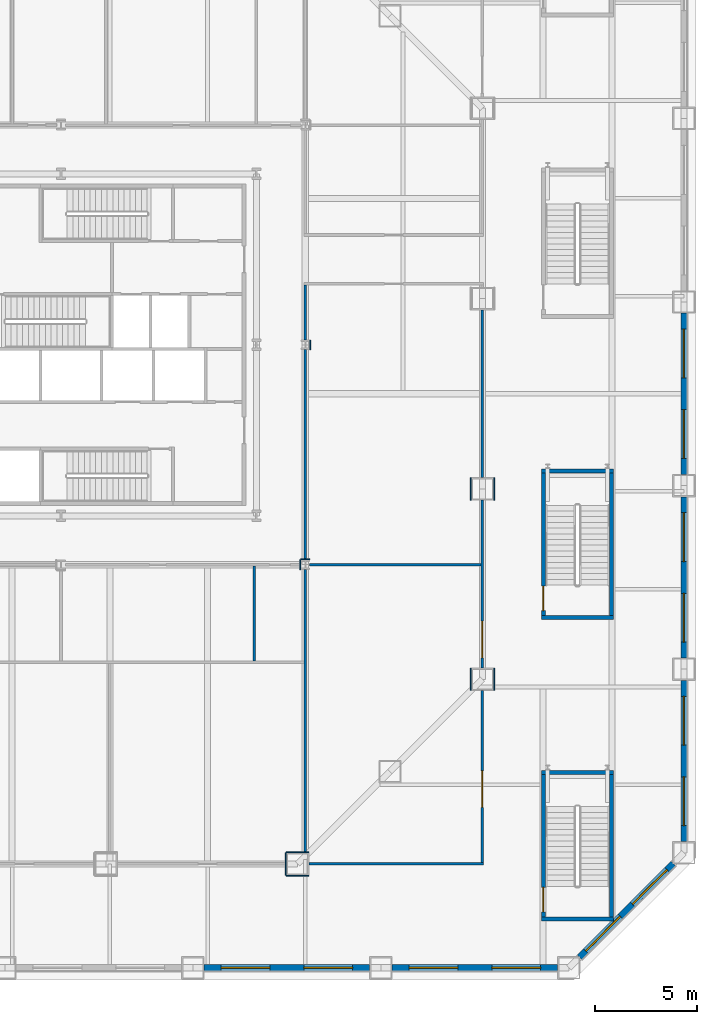
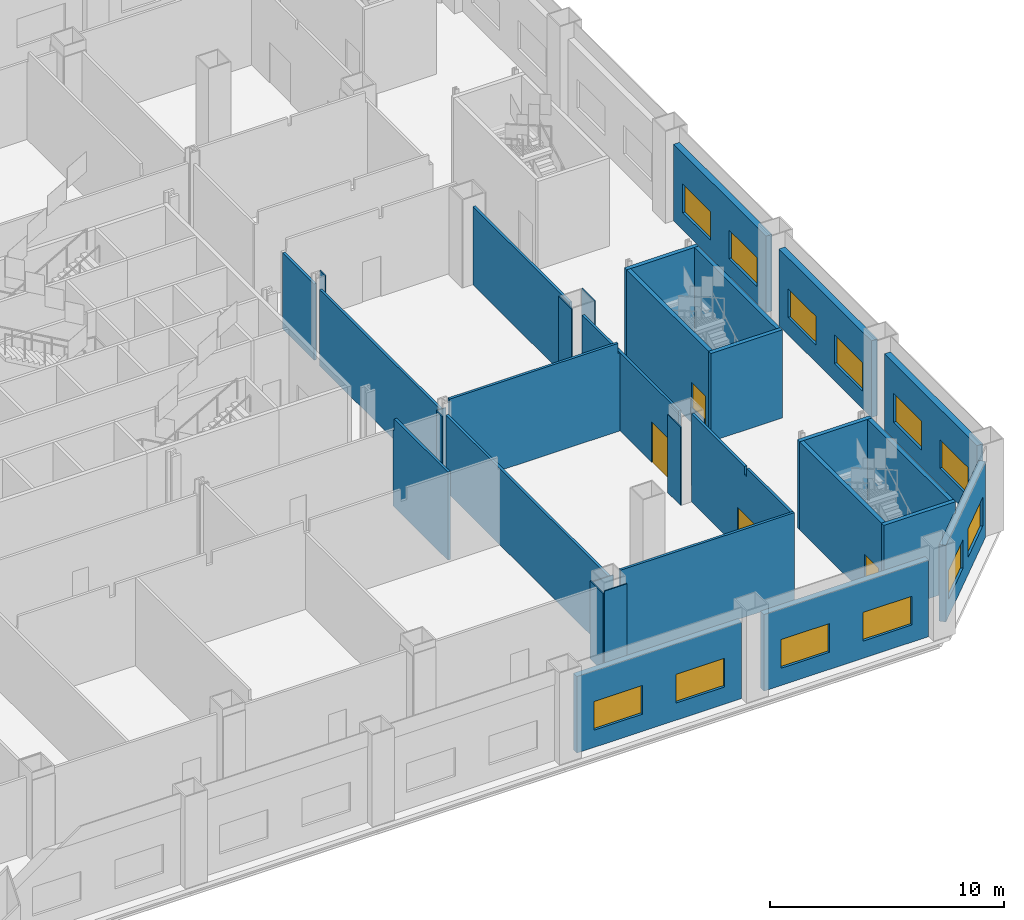
# One storey, part 17 of 26: 33 walls, 12 windows, 4 doors, 16 openings.
"""IFC4 building model written with IfcOpenShell, lengths in metres."""

from ifc_helpers import new_model, si_unit, direction, frame, frame_2d, origin, place, context, subcontext, project, spatial, polyline, rectangle, outline, extrude, material, layer, layer_set, type_object, element, fill, save


model = new_model("IFC4")

# Units and contexts
model_context = context("Model", 3, precision=1e-05, world=origin(), true_north=direction((0.0, 1.0)))
body_context = subcontext(model_context, "Body", "Model", "MODEL_VIEW")
ifc_project = project(units=[si_unit("LENGTHUNIT", "METRE"), si_unit("AREAUNIT", "SQUARE_METRE"), si_unit("VOLUMEUNIT", "CUBIC_METRE"), si_unit("PLANEANGLEUNIT", "RADIAN"), si_unit("MASSUNIT", "GRAM", prefix="KILO")], contexts=[model_context])

# Site, building, storey
site_placement = place(None, origin())
site = spatial("IfcSite", under=ifc_project, at=site_placement, CompositionType="ELEMENT")
building_placement = place(site_placement, origin())
building = spatial("IfcBuilding", under=site, at=building_placement, Name="Cairn Pilgrim Tower", CompositionType="ELEMENT")
storey_placement = place(building_placement, frame((0.0, 0.0, 21.0)))
storey = spatial("IfcBuildingStorey", under=building, at=storey_placement, Name="L03", CompositionType="ELEMENT", Elevation=21.0)

# Wall
ifc_material_1 = material(Name="Gypsum partition")
ifc_layer_1 = layer(ifc_material_1, 0.125)
ifc_layer_set_1 = layer_set([ifc_layer_1], Name="PARTITION 125 DRYWALL EI 60")
wall_type_1 = type_object("IfcWallType", Name="PARTITION 125 DRYWALL EI 60", PredefinedType="PARTITIONING", material=ifc_layer_set_1)
wall_1_placement = place(storey_placement, frame((19.377197265625, -23.10009765625, 0.0), z_axis=(0.0, 0.0, 1.0), x_axis=(1.0, 0.0, 0.0)))
element("IfcWall", 1, at=wall_1_placement, inside=storey, type_object=wall_type_1, Name="PARTITION W013", PredefinedType="PARTITIONING", context=body_context, shape_type="SweptSolid", body=[
    extrude(rectangle(XDim=8.585205078125, YDim=0.125, at=frame_2d((4.29248046875, 0.0))), origin(), (0.0, 0.0, 1.0), 4.60009765625),
])

# Wall, opening, door
wall_2_placement = place(storey_placement, frame((27.89990234375, -23.03759765625, 0.0), z_axis=(0.0, 0.0, 1.0), x_axis=(0.0, 1.0, 0.0)))
wall_2 = element("IfcWall", 2, at=wall_2_placement, inside=storey, type_object=wall_type_1, Name="PARTITION W017", PredefinedType="PARTITIONING", context=body_context, shape_type="SweptSolid", body=[
    extrude(outline(polyline([(0.0, 0.0), (8.46044921875, 0.0), (8.460205078125, 4.60009765625), (3.927490234375, 4.60009765625), (3.925537109375, 4.179931640625), (3.74755859375, 4.179931640625), (3.74560546875, 4.60009765625), (0.0, 4.60009765625), (0.0, 0.0)])), frame((0.0, 0.0625, 0.0), z_axis=(0.0, -1.0, 0.0), x_axis=(1.0, 0.0, 0.0)), (0.0, 0.0, 1.0), 0.125),
])
opening_1_placement = place(wall_2_placement, frame((2.71240234375, 0.0, 0.0)))
opening_1 = element("IfcOpeningElement", 3, at=opening_1_placement, cuts=wall_2, Name="Opening 0319", PredefinedType="OPENING", context=body_context, shape_type="SweptSolid", body=[
    extrude(rectangle(XDim=1.800048828125, YDim=2.10009765625, at=frame_2d((0.89990234375, 1.050048828125))), frame((0.0, 0.072509765625, 0.0), z_axis=(0.0, -1.0, 0.0), x_axis=(1.0, 0.0, 0.0)), (0.0, 0.0, 1.0), 0.14501953125),
])
ifc_material_2 = material(Name="Timber door leaf", Category="wood")
door_type_1 = type_object("IfcDoorType", Name="DOOR PAIR 1800x2100 FD60S", OperationType="NOTDEFINED", PredefinedType="DOOR", material=ifc_material_2)
door_1_placement = place(opening_1_placement, frame((1.800048828125, 0.0, 0.0), z_axis=(0.0, 0.0, 1.0), x_axis=(-1.0, 0.0, 0.0)))
door_1 = element("IfcDoor", 4, at=door_1_placement, inside=storey, type_object=door_type_1, Name="DOOR 0319", OperationType="DOUBLE_DOOR_SINGLE_SWING", OverallHeight=2.10009765625, OverallWidth=1.800048828125, PredefinedType="DOOR", context=body_context, shape_type="SweptSolid", body=[
    extrude(rectangle(XDim=1.800048828125, YDim=2.10009765625, at=frame_2d((0.89990234375, 1.050048828125))), frame((0.0, 0.02490234375, 0.0), z_axis=(0.0, -1.0, 0.0), x_axis=(1.0, 0.0, 0.0)), (0.0, 0.0, 1.0), 0.050048828125),
])
fill(opening_1, door_1)

# Wall
wall_3_placement = place(storey_placement, frame((19.199951171875, -22.550048828125, 0.0), z_axis=(0.0, 0.0, 1.0), x_axis=(0.0, 1.0, 0.0)))
element("IfcWall", 5, at=wall_3_placement, inside=storey, type_object=wall_type_1, Name="PARTITION W020", PredefinedType="PARTITIONING", context=body_context, shape_type="SweptSolid", body=[
    extrude(rectangle(XDim=13.9130859375, YDim=0.125, at=frame_2d((6.95654296875, 0.0))), origin(), (0.0, 0.0, 1.0), 3.97998046875),
])

# Wall, opening, door
wall_4_placement = place(storey_placement, frame((27.89990234375, -13.477294921875, 0.0), z_axis=(0.0, 0.0, 1.0), x_axis=(0.0, 1.0, 0.0)))
wall_4 = element("IfcWall", 6, at=wall_4_placement, inside=storey, type_object=wall_type_1, Name="PARTITION W022", PredefinedType="PARTITIONING", context=body_context, shape_type="SweptSolid", body=[
    extrude(rectangle(XDim=8.251708984375, YDim=0.125, at=frame_2d((4.1259765625, 0.0))), origin(), (0.0, 0.0, 1.0), 4.080078125),
])
opening_2_placement = place(wall_4_placement, frame((0.502197265625, 0.0, 0.0)))
opening_2 = element("IfcOpeningElement", 7, at=opening_2_placement, cuts=wall_4, Name="Opening 0320", PredefinedType="OPENING", context=body_context, shape_type="SweptSolid", body=[
    extrude(rectangle(XDim=1.800048828125, YDim=2.10009765625, at=frame_2d((0.89990234375, 1.050048828125))), frame((0.0, 0.072509765625, 0.0), z_axis=(0.0, -1.0, 0.0), x_axis=(1.0, 0.0, 0.0)), (0.0, 0.0, 1.0), 0.14501953125),
])
door_2_placement = place(opening_2_placement, frame((1.800048828125, 0.0, 0.0), z_axis=(0.0, 0.0, 1.0), x_axis=(-1.0, 0.0, 0.0)))
door_2 = element("IfcDoor", 8, at=door_2_placement, inside=storey, type_object=door_type_1, Name="DOOR 0320", OperationType="DOUBLE_DOOR_SINGLE_SWING", OverallHeight=2.10009765625, OverallWidth=1.800048828125, PredefinedType="DOOR", context=body_context, shape_type="SweptSolid", body=[
    extrude(rectangle(XDim=1.800048828125, YDim=2.10009765625, at=frame_2d((0.89990234375, 1.050048828125))), frame((0.0, 0.02490234375, 0.0), z_axis=(0.0, -1.0, 0.0), x_axis=(1.0, 0.0, 0.0)), (0.0, 0.0, 1.0), 0.050048828125),
])
fill(opening_2, door_2)

# Walls
wall_5_placement = place(storey_placement, frame((16.699951171875, -13.137451171875, 0.0), z_axis=(0.0, 0.0, 1.0), x_axis=(0.0, 1.0, 0.0)))
element("IfcWall", 9, at=wall_5_placement, inside=storey, type_object=wall_type_1, Name="PARTITION W025", PredefinedType="PARTITIONING", context=body_context, shape_type="SweptSolid", body=[
    extrude(outline(polyline([(0.0, 0.0), (4.675048828125, 0.0), (4.675048828125, 3.97998046875), (4.58740234375, 3.97998046875), (4.58544921875, 4.60009765625), (0.0, 4.60009765625), (0.0, 0.0)])), frame((0.0, 0.0625, 0.0), z_axis=(0.0, -1.0, 0.0), x_axis=(1.0, 0.0, 0.0)), (0.0, 0.0, 1.0), 0.125),
])
wall_6_placement = place(storey_placement, frame((19.412109375, -8.39990234375, 0.0), z_axis=(0.0, 0.0, 1.0), x_axis=(1.0, 0.0, 0.0)))
element("IfcWall", 10, at=wall_6_placement, inside=storey, type_object=wall_type_1, Name="PARTITION W031", PredefinedType="PARTITIONING", context=body_context, shape_type="SweptSolid", body=[
    extrude(outline(polyline([(0.0, 0.0), (8.42529296875, 0.0), (8.425537109375, 4.080078125), (8.337890625, 4.080078125), (8.3359375, 4.60009765625), (0.0, 4.60009765625), (0.0, 0.0)])), frame((0.0, 0.0625, 0.0), z_axis=(0.0, -1.0, 0.0), x_axis=(1.0, 0.0, 0.0)), (0.0, 0.0, 1.0), 0.125),
])
wall_7_placement = place(storey_placement, frame((19.199951171875, -8.1630859375, 0.0), z_axis=(0.0, 0.0, 1.0), x_axis=(0.0, 1.0, 0.0)))
element("IfcWall", 11, at=wall_7_placement, inside=storey, type_object=wall_type_1, Name="PARTITION W033", PredefinedType="PARTITIONING", context=body_context, shape_type="SweptSolid", body=[
    extrude(rectangle(XDim=10.326171875, YDim=0.125, at=frame_2d((5.1630859375, 0.0))), origin(), (0.0, 0.0, 1.0), 3.97998046875),
])
wall_8_placement = place(storey_placement, frame((27.89990234375, -4.125732421875, 0.0), z_axis=(0.0, 0.0, 1.0), x_axis=(0.0, 1.0, 0.0)))
element("IfcWall", 12, at=wall_8_placement, inside=storey, type_object=wall_type_1, Name="PARTITION W034", PredefinedType="PARTITIONING", context=body_context, shape_type="SweptSolid", body=[
    extrude(rectangle(XDim=8.25146484375, YDim=0.125, at=frame_2d((4.125732421875, 0.0))), origin(), (0.0, 0.0, 1.0), 4.080078125),
])
wall_9_placement = place(storey_placement, frame((19.199951171875, 2.636962890625, 0.0), z_axis=(0.0, 0.0, 1.0), x_axis=(0.0, 1.0, 0.0)))
element("IfcWall", 13, at=wall_9_placement, inside=storey, type_object=wall_type_1, Name="PARTITION W038", PredefinedType="PARTITIONING", context=body_context, shape_type="SweptSolid", body=[
    extrude(rectangle(XDim=2.700439453125, YDim=0.125, at=frame_2d((1.35009765625, 0.0))), origin(), (0.0, 0.0, 1.0), 3.97998046875),
])
ifc_layer_2 = layer(ifc_material_1, 0.050048828125)
ifc_layer_set_2 = layer_set([ifc_layer_2], Name="PARTITION 50 DRYWALL EI 60")
wall_type_2 = type_object("IfcWallType", Name="PARTITION 50 DRYWALL EI 60", PredefinedType="PARTITIONING", material=ifc_layer_set_2)
wall_10_placement = place(storey_placement, frame((18.277099609375, -22.52490234375, 0.0), z_axis=(0.0, 0.0, 1.0), x_axis=(1.0, 0.0, 0.0)))
element("IfcWall", 14, at=wall_10_placement, inside=storey, type_object=wall_type_2, Name="COLUMN CASING WC09", PredefinedType="PARTITIONING", context=body_context, shape_type="SweptSolid", body=[
    extrude(rectangle(XDim=1.10009765625, YDim=0.050048828125, at=frame_2d((0.550048828125, 0.0))), origin(), (0.0, 0.0, 1.0), 3.97998046875),
])
wall_11_placement = place(storey_placement, frame((18.277099609375, -23.675048828125, 0.0), z_axis=(0.0, 0.0, 1.0), x_axis=(1.0, 0.0, 0.0)))
element("IfcWall", 15, at=wall_11_placement, inside=storey, type_object=wall_type_2, Name="COLUMN CASING WC10", PredefinedType="PARTITIONING", context=body_context, shape_type="SweptSolid", body=[
    extrude(rectangle(XDim=1.10009765625, YDim=0.050048828125, at=frame_2d((0.550048828125, 0.0))), origin(), (0.0, 0.0, 1.0), 4.219970703125),
])
wall_12_placement = place(storey_placement, frame((18.252197265625, -23.64990234375, 0.0), z_axis=(0.0, 0.0, 1.0), x_axis=(0.0, 1.0, 0.0)))
element("IfcWall", 16, at=wall_12_placement, inside=storey, type_object=wall_type_2, Name="COLUMN CASING WC14", PredefinedType="PARTITIONING", context=body_context, shape_type="SweptSolid", body=[
    extrude(rectangle(XDim=1.099853515625, YDim=0.050048828125, at=frame_2d((0.5498046875, 0.0))), origin(), (0.0, 0.0, 1.0), 4.080078125),
])
wall_13_placement = place(storey_placement, frame((18.962890625, -8.636962890625, 0.0), z_axis=(0.0, 0.0, 1.0), x_axis=(0.0, 1.0, 0.0)))
element("IfcWall", 17, at=wall_13_placement, inside=storey, type_object=wall_type_2, Name="COLUMN CASING WC15", PredefinedType="PARTITIONING", context=body_context, shape_type="SweptSolid", body=[
    extrude(rectangle(XDim=0.473876953125, YDim=0.050048828125, at=frame_2d((0.23681640625, 0.0))), origin(), (0.0, 0.0, 1.0), 3.97998046875),
])
for number, where, z_axis, x_axis, name in (
    (18, (27.324951171875, -14.5771484375, 0.0), (0.0, 0.0, 1.0), (0.0, 1.0, 0.0), "COLUMN CASING WC16"),
    (19, (28.47509765625, -14.5771484375, 0.0), (0.0, 0.0, 1.0), (0.0, 1.0, 0.0), "COLUMN CASING WC17"),
):
    element("IfcWall", number, at=place(storey_placement, frame(where, z_axis=z_axis, x_axis=x_axis)), inside=storey, type_object=wall_type_2, Name=name, PredefinedType="PARTITIONING", context=body_context, shape_type="SweptSolid", body=[
        extrude(rectangle(XDim=1.099853515625, YDim=0.050048828125, at=frame_2d((0.5498046875, 0.0))), origin(), (0.0, 0.0, 1.0), 4.080078125),
    ])
for number, where, z_axis, x_axis, name in (
    (20, (27.324951171875, -5.2255859375, 0.0), (0.0, 0.0, 1.0), (0.0, 1.0, 0.0), "COLUMN CASING WC18"),
    (21, (28.47509765625, -5.2255859375, 0.0), (0.0, 0.0, 1.0), (0.0, 1.0, 0.0), "COLUMN CASING WC19"),
):
    element("IfcWall", number, at=place(storey_placement, frame(where, z_axis=z_axis, x_axis=x_axis)), inside=storey, type_object=wall_type_2, Name=name, PredefinedType="PARTITIONING", context=body_context, shape_type="SweptSolid", body=[
        extrude(rectangle(XDim=1.099853515625, YDim=0.050048828125, at=frame_2d((0.5498046875, 0.0))), origin(), (0.0, 0.0, 1.0), 4.60009765625),
    ])
wall_14_placement = place(storey_placement, frame((18.988037109375, -8.137939453125, 0.0), z_axis=(0.0, 0.0, 1.0), x_axis=(1.0, 0.0, 0.0)))
element("IfcWall", 22, at=wall_14_placement, inside=storey, type_object=wall_type_2, Name="COLUMN CASING WC26", PredefinedType="PARTITIONING", context=body_context, shape_type="SweptSolid", body=[
    extrude(rectangle(XDim=0.424072265625, YDim=0.050048828125, at=frame_2d((0.2119140625, 0.0))), origin(), (0.0, 0.0, 1.0), 3.97998046875),
])
wall_15_placement = place(storey_placement, frame((19.43701171875, 2.1630859375, 0.0), z_axis=(0.0, 0.0, 1.0), x_axis=(0.0, 1.0, 0.0)))
element("IfcWall", 23, at=wall_15_placement, inside=storey, type_object=wall_type_2, Name="COLUMN CASING WC27", PredefinedType="PARTITIONING", context=body_context, shape_type="SweptSolid", body=[
    extrude(rectangle(XDim=0.473876953125, YDim=0.050048828125, at=frame_2d((0.23681640625, 0.0))), origin(), (0.0, 0.0, 1.0), 4.60009765625),
])
ifc_material_3 = material(Name="Concrete C35/45", Category="concrete")
ifc_layer_3 = layer(ifc_material_3, 0.199951171875)
ifc_layer_set_3 = layer_set([ifc_layer_3], Name="PODIUM STAIR WALL 200 EI 120")
wall_type_3 = type_object("IfcWallType", Name="PODIUM STAIR WALL 200 EI 120", PredefinedType="SOLIDWALL", material=ifc_layer_set_3)
wall_16_placement = place(storey_placement, frame((30.800048828125, -25.800048828125, 0.0), z_axis=(0.0, 0.0, 1.0), x_axis=(1.0, 0.0, 0.0)))
element("IfcWall", 24, at=wall_16_placement, inside=storey, type_object=wall_type_3, Name="STAIR SHAFT WALL W003", PredefinedType="SOLIDWALL", context=body_context, shape_type="SweptSolid", body=[
    extrude(rectangle(XDim=3.550048828125, YDim=0.199951171875, at=frame_2d((1.77490234375, 0.0))), origin(), (0.0, 0.0, 1.0), 4.60009765625),
])

# Wall, opening, door
wall_17_placement = place(storey_placement, frame((30.89990234375, -25.699951171875, 0.0), z_axis=(0.0, 0.0, 1.0), x_axis=(0.0, 1.0, 0.0)))
wall_17 = element("IfcWall", 25, at=wall_17_placement, inside=storey, type_object=wall_type_3, Name="STAIR SHAFT WALL W004", PredefinedType="SOLIDWALL", context=body_context, shape_type="SweptSolid", body=[
    extrude(rectangle(XDim=7.0, YDim=0.199951171875, at=frame_2d((3.5, 0.0))), origin(), (0.0, 0.0, 1.0), 4.60009765625),
])
opening_3_placement = place(wall_17_placement, frame((0.25, 0.0, 0.0)))
opening_3 = element("IfcOpeningElement", 26, at=opening_3_placement, cuts=wall_17, Name="Opening 0325", PredefinedType="OPENING", context=body_context, shape_type="SweptSolid", body=[
    extrude(rectangle(XDim=1.199951171875, YDim=2.10009765625, at=frame_2d((0.60009765625, 1.050048828125))), frame((0.0, 0.10986328125, 0.0), z_axis=(0.0, -1.0, 0.0), x_axis=(1.0, 0.0, 0.0)), (0.0, 0.0, 1.0), 0.219970703125),
])
ifc_material_4 = material(Name="Steel-faced fire door leaf", Category="steel")
door_type_2 = type_object("IfcDoorType", Name="FIRE DOOR 1200x2100 FD60S", OperationType="NOTDEFINED", PredefinedType="DOOR", material=ifc_material_4)
door_3_placement = place(opening_3_placement, frame((1.199951171875, 0.0, 0.0), z_axis=(0.0, 0.0, 1.0), x_axis=(-1.0, 0.0, 0.0)))
door_3 = element("IfcDoor", 27, at=door_3_placement, inside=storey, type_object=door_type_2, Name="DOOR 0325", OperationType="SINGLE_SWING_RIGHT", OverallHeight=2.10009765625, OverallWidth=1.199951171875, PredefinedType="DOOR", context=body_context, shape_type="SweptSolid", body=[
    extrude(rectangle(XDim=1.199951171875, YDim=2.10009765625, at=frame_2d((0.60009765625, 1.050048828125))), frame((0.0, 0.02490234375, 0.0), z_axis=(0.0, -1.0, 0.0), x_axis=(1.0, 0.0, 0.0)), (0.0, 0.0, 1.0), 0.050048828125),
])
fill(opening_3, door_3)

# Walls
wall_18_placement = place(storey_placement, frame((34.25, -25.699951171875, 0.0), z_axis=(0.0, 0.0, 1.0), x_axis=(0.0, 1.0, 0.0)))
element("IfcWall", 28, at=wall_18_placement, inside=storey, type_object=wall_type_3, Name="STAIR SHAFT WALL W005", PredefinedType="SOLIDWALL", context=body_context, shape_type="SweptSolid", body=[
    extrude(rectangle(XDim=7.0, YDim=0.199951171875, at=frame_2d((3.5, 0.0))), origin(), (0.0, 0.0, 1.0), 4.60009765625),
])
for number, where, z_axis, x_axis, name in (
    (29, (30.800048828125, -18.60009765625, 0.0), (0.0, 0.0, 1.0), (1.0, 0.0, 0.0), "STAIR SHAFT WALL W021"),
    (30, (30.800048828125, -11.0, 0.0), (0.0, 0.0, 1.0), (1.0, 0.0, 0.0), "STAIR SHAFT WALL W026"),
):
    element("IfcWall", number, at=place(storey_placement, frame(where, z_axis=z_axis, x_axis=x_axis)), inside=storey, type_object=wall_type_3, Name=name, PredefinedType="SOLIDWALL", context=body_context, shape_type="SweptSolid", body=[
        extrude(rectangle(XDim=3.550048828125, YDim=0.199951171875, at=frame_2d((1.77490234375, 0.0))), origin(), (0.0, 0.0, 1.0), 4.60009765625),
    ])

# Wall, opening, door
wall_19_placement = place(storey_placement, frame((30.89990234375, -10.89990234375, 0.0), z_axis=(0.0, 0.0, 1.0), x_axis=(0.0, 1.0, 0.0)))
wall_19 = element("IfcWall", 31, at=wall_19_placement, inside=storey, type_object=wall_type_3, Name="STAIR SHAFT WALL W027", PredefinedType="SOLIDWALL", context=body_context, shape_type="SweptSolid", body=[
    extrude(rectangle(XDim=7.0, YDim=0.199951171875, at=frame_2d((3.5, 0.0))), origin(), (0.0, 0.0, 1.0), 4.60009765625),
])
opening_4_placement = place(wall_19_placement, frame((0.25, 0.0, 0.0)))
opening_4 = element("IfcOpeningElement", 32, at=opening_4_placement, cuts=wall_19, Name="Opening 0326", PredefinedType="OPENING", context=body_context, shape_type="SweptSolid", body=[
    extrude(rectangle(XDim=1.199951171875, YDim=2.10009765625, at=frame_2d((0.60009765625, 1.050048828125))), frame((0.0, 0.10986328125, 0.0), z_axis=(0.0, -1.0, 0.0), x_axis=(1.0, 0.0, 0.0)), (0.0, 0.0, 1.0), 0.219970703125),
])
door_4_placement = place(opening_4_placement, frame((1.199951171875, 0.0, 0.0), z_axis=(0.0, 0.0, 1.0), x_axis=(-1.0, 0.0, 0.0)))
door_4 = element("IfcDoor", 33, at=door_4_placement, inside=storey, type_object=door_type_2, Name="DOOR 0326", OperationType="SINGLE_SWING_LEFT", OverallHeight=2.10009765625, OverallWidth=1.199951171875, PredefinedType="DOOR", context=body_context, shape_type="SweptSolid", body=[
    extrude(rectangle(XDim=1.199951171875, YDim=2.10009765625, at=frame_2d((0.60009765625, 1.050048828125))), frame((0.0, 0.02490234375, 0.0), z_axis=(0.0, -1.0, 0.0), x_axis=(1.0, 0.0, 0.0)), (0.0, 0.0, 1.0), 0.050048828125),
])
fill(opening_4, door_4)

# Walls
wall_20_placement = place(storey_placement, frame((34.25, -10.89990234375, 0.0), z_axis=(0.0, 0.0, 1.0), x_axis=(0.0, 1.0, 0.0)))
element("IfcWall", 34, at=wall_20_placement, inside=storey, type_object=wall_type_3, Name="STAIR SHAFT WALL W028", PredefinedType="SOLIDWALL", context=body_context, shape_type="SweptSolid", body=[
    extrude(rectangle(XDim=7.0, YDim=0.199951171875, at=frame_2d((3.5, 0.0))), origin(), (0.0, 0.0, 1.0), 4.60009765625),
])
wall_21_placement = place(storey_placement, frame((30.800048828125, -3.800048828125, 0.0), z_axis=(0.0, 0.0, 1.0), x_axis=(1.0, 0.0, 0.0)))
element("IfcWall", 35, at=wall_21_placement, inside=storey, type_object=wall_type_3, Name="STAIR SHAFT WALL W035", PredefinedType="SOLIDWALL", context=body_context, shape_type="SweptSolid", body=[
    extrude(rectangle(XDim=3.550048828125, YDim=0.199951171875, at=frame_2d((1.77490234375, 0.0))), origin(), (0.0, 0.0, 1.0), 4.60009765625),
])

# Wall, openings, windows
ifc_material_5 = material(Name="Concrete C35/45 backup wall with bronze aluminium cladding", Category="concrete")
ifc_layer_4 = layer(ifc_material_5, 0.300048828125)
ifc_layer_set_4 = layer_set([ifc_layer_4], Name="PODIUM WALL 300 BRONZE-CLAD")
wall_type_4 = type_object("IfcWallType", Name="PODIUM WALL 300 BRONZE-CLAD", PredefinedType="SOLIDWALL", material=ifc_layer_set_4)
wall_22_placement = place(storey_placement, frame((14.2255859375, -28.199951171875, 0.0), z_axis=(0.0, 0.0, 1.0), x_axis=(1.0, 0.0, 0.0)))
wall_22 = element("IfcWall", 36, at=wall_22_placement, inside=storey, type_object=wall_type_4, Name="PODIUM EXTERNAL WALL S7-S8", PredefinedType="SOLIDWALL", context=body_context, shape_type="SweptSolid", body=[
    extrude(rectangle(XDim=8.137939453125, YDim=0.300048828125, at=frame_2d((4.06884765625, 0.0))), origin(), (0.0, 0.0, 1.0), 4.0),
])
opening_5_placement = place(wall_22_placement, frame((0.83447265625, 0.0, 0.89990234375)))
opening_5 = element("IfcOpeningElement", 37, at=opening_5_placement, cuts=wall_22, Name="Opening PW15", PredefinedType="OPENING", context=body_context, shape_type="SweptSolid", body=[
    extrude(rectangle(XDim=2.39990234375, YDim=1.5, at=frame_2d((1.199951171875, 0.75))), frame((0.0, 0.16015625, 0.0), z_axis=(0.0, -1.0, 0.0), x_axis=(1.0, 0.0, 0.0)), (0.0, 0.0, 1.0), 0.320068359375),
])
opening_6_placement = place(wall_22_placement, frame((4.9033203125, 0.0, 0.89990234375)))
opening_6 = element("IfcOpeningElement", 38, at=opening_6_placement, cuts=wall_22, Name="Opening PW15", PredefinedType="OPENING", context=body_context, shape_type="SweptSolid", body=[
    extrude(rectangle(XDim=2.39990234375, YDim=1.5, at=frame_2d((1.199951171875, 0.75))), frame((0.0, 0.16015625, 0.0), z_axis=(0.0, -1.0, 0.0), x_axis=(1.0, 0.0, 0.0)), (0.0, 0.0, 1.0), 0.320068359375),
])
ifc_material_6 = material(Name="Bronze anodised aluminium frame with tinted low-E glass", Category="aluminium")
window_type = type_object("IfcWindowType", Name="PODIUM FIXED WINDOW 2400x1500", PartitioningType="SINGLE_PANEL", PredefinedType="WINDOW", material=ifc_material_6)
window_1_placement = place(opening_5_placement, origin())
window_1 = element("IfcWindow", 39, at=window_1_placement, inside=storey, type_object=window_type, Name="PODIUM WINDOW", OverallHeight=1.5, OverallWidth=2.39990234375, PartitioningType="SINGLE_PANEL", PredefinedType="WINDOW", context=body_context, shape_type="SweptSolid", body=[
    extrude(rectangle(XDim=2.39990234375, YDim=1.5, at=frame_2d((1.199951171875, 0.75))), frame((0.0, 0.030029296875, 0.0), z_axis=(0.0, -1.0, 0.0), x_axis=(1.0, 0.0, 0.0)), (0.0, 0.0, 1.0), 0.06005859375),
])
fill(opening_5, window_1)
window_2_placement = place(opening_6_placement, origin())
window_2 = element("IfcWindow", 40, at=window_2_placement, inside=storey, type_object=window_type, Name="PODIUM WINDOW", OverallHeight=1.5, OverallWidth=2.39990234375, PartitioningType="SINGLE_PANEL", PredefinedType="WINDOW", context=body_context, shape_type="SweptSolid", body=[
    extrude(rectangle(XDim=2.39990234375, YDim=1.5, at=frame_2d((1.199951171875, 0.75))), frame((0.0, 0.030029296875, 0.0), z_axis=(0.0, -1.0, 0.0), x_axis=(1.0, 0.0, 0.0)), (0.0, 0.0, 1.0), 0.06005859375),
])
fill(opening_6, window_2)

wall_23_placement = place(storey_placement, frame((23.463623046875, -28.199951171875, 0.0), z_axis=(0.0, 0.0, 1.0), x_axis=(1.0, 0.0, 0.0)))
wall_23 = element("IfcWall", 41, at=wall_23_placement, inside=storey, type_object=wall_type_4, Name="PODIUM EXTERNAL WALL S8-SE1", PredefinedType="SOLIDWALL", context=body_context, shape_type="SweptSolid", body=[
    extrude(rectangle(XDim=8.137939453125, YDim=0.300048828125, at=frame_2d((4.06884765625, 0.0))), origin(), (0.0, 0.0, 1.0), 4.0),
])
opening_7_placement = place(wall_23_placement, frame((0.83447265625, 0.0, 0.89990234375)))
opening_7 = element("IfcOpeningElement", 42, at=opening_7_placement, cuts=wall_23, Name="Opening PW15", PredefinedType="OPENING", context=body_context, shape_type="SweptSolid", body=[
    extrude(rectangle(XDim=2.39990234375, YDim=1.5, at=frame_2d((1.199951171875, 0.75))), frame((0.0, 0.16015625, 0.0), z_axis=(0.0, -1.0, 0.0), x_axis=(1.0, 0.0, 0.0)), (0.0, 0.0, 1.0), 0.320068359375),
])
opening_8_placement = place(wall_23_placement, frame((4.9033203125, 0.0, 0.89990234375)))
opening_8 = element("IfcOpeningElement", 43, at=opening_8_placement, cuts=wall_23, Name="Opening PW15", PredefinedType="OPENING", context=body_context, shape_type="SweptSolid", body=[
    extrude(rectangle(XDim=2.39990234375, YDim=1.5, at=frame_2d((1.199951171875, 0.75))), frame((0.0, 0.16015625, 0.0), z_axis=(0.0, -1.0, 0.0), x_axis=(1.0, 0.0, 0.0)), (0.0, 0.0, 1.0), 0.320068359375),
])
window_3_placement = place(opening_7_placement, origin())
window_3 = element("IfcWindow", 44, at=window_3_placement, inside=storey, type_object=window_type, Name="PODIUM WINDOW", OverallHeight=1.5, OverallWidth=2.39990234375, PartitioningType="SINGLE_PANEL", PredefinedType="WINDOW", context=body_context, shape_type="SweptSolid", body=[
    extrude(rectangle(XDim=2.39990234375, YDim=1.5, at=frame_2d((1.199951171875, 0.75))), frame((0.0, 0.030029296875, 0.0), z_axis=(0.0, -1.0, 0.0), x_axis=(1.0, 0.0, 0.0)), (0.0, 0.0, 1.0), 0.06005859375),
])
fill(opening_7, window_3)
window_4_placement = place(opening_8_placement, origin())
window_4 = element("IfcWindow", 45, at=window_4_placement, inside=storey, type_object=window_type, Name="PODIUM WINDOW", OverallHeight=1.5, OverallWidth=2.39990234375, PartitioningType="SINGLE_PANEL", PredefinedType="WINDOW", context=body_context, shape_type="SweptSolid", body=[
    extrude(rectangle(XDim=2.39990234375, YDim=1.5, at=frame_2d((1.199951171875, 0.75))), frame((0.0, 0.030029296875, 0.0), z_axis=(0.0, -1.0, 0.0), x_axis=(1.0, 0.0, 0.0)), (0.0, 0.0, 1.0), 0.06005859375),
])
fill(opening_8, window_4)

wall_24_placement = place(storey_placement, frame((32.6748046875, -27.6767578125, 0.0), z_axis=(0.0, 0.0, 1.0), x_axis=(0.707088024292, 0.707125537583, 0.0)))
wall_24 = element("IfcWall", 46, at=wall_24_placement, inside=storey, type_object=wall_type_4, Name="PODIUM EXTERNAL WALL SE1-E1", PredefinedType="SOLIDWALL", context=body_context, shape_type="SweptSolid", body=[
    extrude(rectangle(XDim=6.508056640625, YDim=0.300048828125, at=frame_2d((3.25390625, 0.0))), origin(), (0.0, 0.0, 1.0), 4.0),
])
opening_9_placement = place(wall_24_placement, frame((0.427001953125, 0.0, 0.89990234375)))
opening_9 = element("IfcOpeningElement", 47, at=opening_9_placement, cuts=wall_24, Name="Opening PW15", PredefinedType="OPENING", context=body_context, shape_type="SweptSolid", body=[
    extrude(rectangle(XDim=2.39990234375, YDim=1.5, at=frame_2d((1.199951171875, 0.75))), frame((0.0, 0.16015625, 0.0), z_axis=(0.0, -1.0, 0.0), x_axis=(1.0, 0.0, 0.0)), (0.0, 0.0, 1.0), 0.320068359375),
])
opening_10_placement = place(wall_24_placement, frame((3.68115234375, 0.0, 0.89990234375)))
opening_10 = element("IfcOpeningElement", 48, at=opening_10_placement, cuts=wall_24, Name="Opening PW15", PredefinedType="OPENING", context=body_context, shape_type="SweptSolid", body=[
    extrude(rectangle(XDim=2.39990234375, YDim=1.5, at=frame_2d((1.199951171875, 0.75))), frame((0.0, 0.16015625, 0.0), z_axis=(0.0, -1.0, 0.0), x_axis=(1.0, 0.0, 0.0)), (0.0, 0.0, 1.0), 0.320068359375),
])
window_5_placement = place(opening_9_placement, origin())
window_5 = element("IfcWindow", 49, at=window_5_placement, inside=storey, type_object=window_type, Name="PODIUM WINDOW", OverallHeight=1.5, OverallWidth=2.39990234375, PartitioningType="SINGLE_PANEL", PredefinedType="WINDOW", context=body_context, shape_type="SweptSolid", body=[
    extrude(rectangle(XDim=2.39990234375, YDim=1.5, at=frame_2d((1.199951171875, 0.75))), frame((0.0, 0.030029296875, 0.0), z_axis=(0.0, -1.0, 0.0), x_axis=(1.0, 0.0, 0.0)), (0.0, 0.0, 1.0), 0.06005859375),
])
fill(opening_9, window_5)
window_6_placement = place(opening_10_placement, origin())
window_6 = element("IfcWindow", 50, at=window_6_placement, inside=storey, type_object=window_type, Name="PODIUM WINDOW", OverallHeight=1.5, OverallWidth=2.39990234375, PartitioningType="SINGLE_PANEL", PredefinedType="WINDOW", context=body_context, shape_type="SweptSolid", body=[
    extrude(rectangle(XDim=2.39990234375, YDim=1.5, at=frame_2d((1.199951171875, 0.75))), frame((0.0, 0.030029296875, 0.0), z_axis=(0.0, -1.0, 0.0), x_axis=(1.0, 0.0, 0.0)), (0.0, 0.0, 1.0), 0.06005859375),
])
fill(opening_10, window_6)

wall_25_placement = place(storey_placement, frame((37.800048828125, -22.00146484375, 0.0), z_axis=(0.0, 0.0, 1.0), x_axis=(0.0, 1.0, 0.0)))
wall_25 = element("IfcWall", 51, at=wall_25_placement, inside=storey, type_object=wall_type_4, Name="PODIUM EXTERNAL WALL E1-E2", PredefinedType="SOLIDWALL", context=body_context, shape_type="SweptSolid", body=[
    extrude(rectangle(XDim=7.920654296875, YDim=0.300048828125, at=frame_2d((3.96044921875, 0.0))), origin(), (0.0, 0.0, 1.0), 4.0),
])
opening_11_placement = place(wall_25_placement, frame((0.780029296875, 0.0, 0.89990234375)))
opening_11 = element("IfcOpeningElement", 52, at=opening_11_placement, cuts=wall_25, Name="Opening PW15", PredefinedType="OPENING", context=body_context, shape_type="SweptSolid", body=[
    extrude(rectangle(XDim=2.39990234375, YDim=1.5, at=frame_2d((1.199951171875, 0.75))), frame((0.0, 0.16015625, 0.0), z_axis=(0.0, -1.0, 0.0), x_axis=(1.0, 0.0, 0.0)), (0.0, 0.0, 1.0), 0.320068359375),
])
opening_12_placement = place(wall_25_placement, frame((4.740478515625, 0.0, 0.89990234375)))
opening_12 = element("IfcOpeningElement", 53, at=opening_12_placement, cuts=wall_25, Name="Opening PW15", PredefinedType="OPENING", context=body_context, shape_type="SweptSolid", body=[
    extrude(rectangle(XDim=2.39990234375, YDim=1.5, at=frame_2d((1.199951171875, 0.75))), frame((0.0, 0.16015625, 0.0), z_axis=(0.0, -1.0, 0.0), x_axis=(1.0, 0.0, 0.0)), (0.0, 0.0, 1.0), 0.320068359375),
])
window_7_placement = place(opening_11_placement, origin())
window_7 = element("IfcWindow", 54, at=window_7_placement, inside=storey, type_object=window_type, Name="PODIUM WINDOW", OverallHeight=1.5, OverallWidth=2.39990234375, PartitioningType="SINGLE_PANEL", PredefinedType="WINDOW", context=body_context, shape_type="SweptSolid", body=[
    extrude(rectangle(XDim=2.39990234375, YDim=1.5, at=frame_2d((1.199951171875, 0.75))), frame((0.0, 0.030029296875, 0.0), z_axis=(0.0, -1.0, 0.0), x_axis=(1.0, 0.0, 0.0)), (0.0, 0.0, 1.0), 0.06005859375),
])
fill(opening_11, window_7)
window_8_placement = place(opening_12_placement, origin())
window_8 = element("IfcWindow", 55, at=window_8_placement, inside=storey, type_object=window_type, Name="PODIUM WINDOW", OverallHeight=1.5, OverallWidth=2.39990234375, PartitioningType="SINGLE_PANEL", PredefinedType="WINDOW", context=body_context, shape_type="SweptSolid", body=[
    extrude(rectangle(XDim=2.39990234375, YDim=1.5, at=frame_2d((1.199951171875, 0.75))), frame((0.0, 0.030029296875, 0.0), z_axis=(0.0, -1.0, 0.0), x_axis=(1.0, 0.0, 0.0)), (0.0, 0.0, 1.0), 0.06005859375),
])
fill(opening_12, window_8)

wall_26_placement = place(storey_placement, frame((37.800048828125, -12.98095703125, 0.0), z_axis=(0.0, 0.0, 1.0), x_axis=(0.0, 1.0, 0.0)))
wall_26 = element("IfcWall", 56, at=wall_26_placement, inside=storey, type_object=wall_type_4, Name="PODIUM EXTERNAL WALL E2-E3", PredefinedType="SOLIDWALL", context=body_context, shape_type="SweptSolid", body=[
    extrude(rectangle(XDim=7.920654296875, YDim=0.300048828125, at=frame_2d((3.96044921875, 0.0))), origin(), (0.0, 0.0, 1.0), 4.0),
])
opening_13_placement = place(wall_26_placement, frame((0.780029296875, 0.0, 0.89990234375)))
opening_13 = element("IfcOpeningElement", 57, at=opening_13_placement, cuts=wall_26, Name="Opening PW15", PredefinedType="OPENING", context=body_context, shape_type="SweptSolid", body=[
    extrude(rectangle(XDim=2.39990234375, YDim=1.5, at=frame_2d((1.199951171875, 0.75))), frame((0.0, 0.16015625, 0.0), z_axis=(0.0, -1.0, 0.0), x_axis=(1.0, 0.0, 0.0)), (0.0, 0.0, 1.0), 0.320068359375),
])
opening_14_placement = place(wall_26_placement, frame((4.740478515625, 0.0, 0.89990234375)))
opening_14 = element("IfcOpeningElement", 58, at=opening_14_placement, cuts=wall_26, Name="Opening PW15", PredefinedType="OPENING", context=body_context, shape_type="SweptSolid", body=[
    extrude(rectangle(XDim=2.39990234375, YDim=1.5, at=frame_2d((1.199951171875, 0.75))), frame((0.0, 0.16015625, 0.0), z_axis=(0.0, -1.0, 0.0), x_axis=(1.0, 0.0, 0.0)), (0.0, 0.0, 1.0), 0.320068359375),
])
window_9_placement = place(opening_13_placement, origin())
window_9 = element("IfcWindow", 59, at=window_9_placement, inside=storey, type_object=window_type, Name="PODIUM WINDOW", OverallHeight=1.5, OverallWidth=2.39990234375, PartitioningType="SINGLE_PANEL", PredefinedType="WINDOW", context=body_context, shape_type="SweptSolid", body=[
    extrude(rectangle(XDim=2.39990234375, YDim=1.5, at=frame_2d((1.199951171875, 0.75))), frame((0.0, 0.030029296875, 0.0), z_axis=(0.0, -1.0, 0.0), x_axis=(1.0, 0.0, 0.0)), (0.0, 0.0, 1.0), 0.06005859375),
])
fill(opening_13, window_9)
window_10_placement = place(opening_14_placement, origin())
window_10 = element("IfcWindow", 60, at=window_10_placement, inside=storey, type_object=window_type, Name="PODIUM WINDOW", OverallHeight=1.5, OverallWidth=2.39990234375, PartitioningType="SINGLE_PANEL", PredefinedType="WINDOW", context=body_context, shape_type="SweptSolid", body=[
    extrude(rectangle(XDim=2.39990234375, YDim=1.5, at=frame_2d((1.199951171875, 0.75))), frame((0.0, 0.030029296875, 0.0), z_axis=(0.0, -1.0, 0.0), x_axis=(1.0, 0.0, 0.0)), (0.0, 0.0, 1.0), 0.06005859375),
])
fill(opening_14, window_10)

wall_27_placement = place(storey_placement, frame((37.800048828125, -3.960205078125, 0.0), z_axis=(0.0, 0.0, 1.0), x_axis=(0.0, 1.0, 0.0)))
wall_27 = element("IfcWall", 61, at=wall_27_placement, inside=storey, type_object=wall_type_4, Name="PODIUM EXTERNAL WALL E3-E4", PredefinedType="SOLIDWALL", context=body_context, shape_type="SweptSolid", body=[
    extrude(rectangle(XDim=7.92041015625, YDim=0.300048828125, at=frame_2d((3.960205078125, 0.0))), origin(), (0.0, 0.0, 1.0), 4.0),
])
opening_15_placement = place(wall_27_placement, frame((0.780029296875, 0.0, 0.89990234375)))
opening_15 = element("IfcOpeningElement", 62, at=opening_15_placement, cuts=wall_27, Name="Opening PW15", PredefinedType="OPENING", context=body_context, shape_type="SweptSolid", body=[
    extrude(rectangle(XDim=2.39990234375, YDim=1.5, at=frame_2d((1.199951171875, 0.75))), frame((0.0, 0.16015625, 0.0), z_axis=(0.0, -1.0, 0.0), x_axis=(1.0, 0.0, 0.0)), (0.0, 0.0, 1.0), 0.320068359375),
])
opening_16_placement = place(wall_27_placement, frame((4.740478515625, 0.0, 0.89990234375)))
opening_16 = element("IfcOpeningElement", 63, at=opening_16_placement, cuts=wall_27, Name="Opening PW15", PredefinedType="OPENING", context=body_context, shape_type="SweptSolid", body=[
    extrude(rectangle(XDim=2.39990234375, YDim=1.5, at=frame_2d((1.199951171875, 0.75))), frame((0.0, 0.16015625, 0.0), z_axis=(0.0, -1.0, 0.0), x_axis=(1.0, 0.0, 0.0)), (0.0, 0.0, 1.0), 0.320068359375),
])
window_11_placement = place(opening_15_placement, origin())
window_11 = element("IfcWindow", 64, at=window_11_placement, inside=storey, type_object=window_type, Name="PODIUM WINDOW", OverallHeight=1.5, OverallWidth=2.39990234375, PartitioningType="SINGLE_PANEL", PredefinedType="WINDOW", context=body_context, shape_type="SweptSolid", body=[
    extrude(rectangle(XDim=2.39990234375, YDim=1.5, at=frame_2d((1.199951171875, 0.75))), frame((0.0, 0.030029296875, 0.0), z_axis=(0.0, -1.0, 0.0), x_axis=(1.0, 0.0, 0.0)), (0.0, 0.0, 1.0), 0.06005859375),
])
fill(opening_15, window_11)
window_12_placement = place(opening_16_placement, origin())
window_12 = element("IfcWindow", 65, at=window_12_placement, inside=storey, type_object=window_type, Name="PODIUM WINDOW", OverallHeight=1.5, OverallWidth=2.39990234375, PartitioningType="SINGLE_PANEL", PredefinedType="WINDOW", context=body_context, shape_type="SweptSolid", body=[
    extrude(rectangle(XDim=2.39990234375, YDim=1.5, at=frame_2d((1.199951171875, 0.75))), frame((0.0, 0.030029296875, 0.0), z_axis=(0.0, -1.0, 0.0), x_axis=(1.0, 0.0, 0.0)), (0.0, 0.0, 1.0), 0.06005859375),
])
fill(opening_16, window_12)

save(model, "model.ifc")
